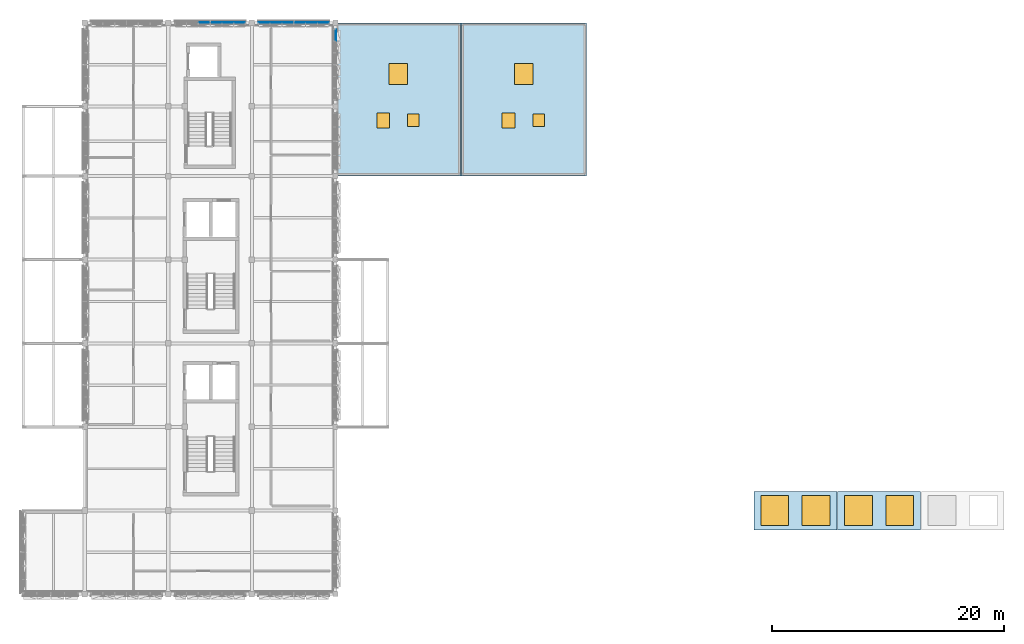
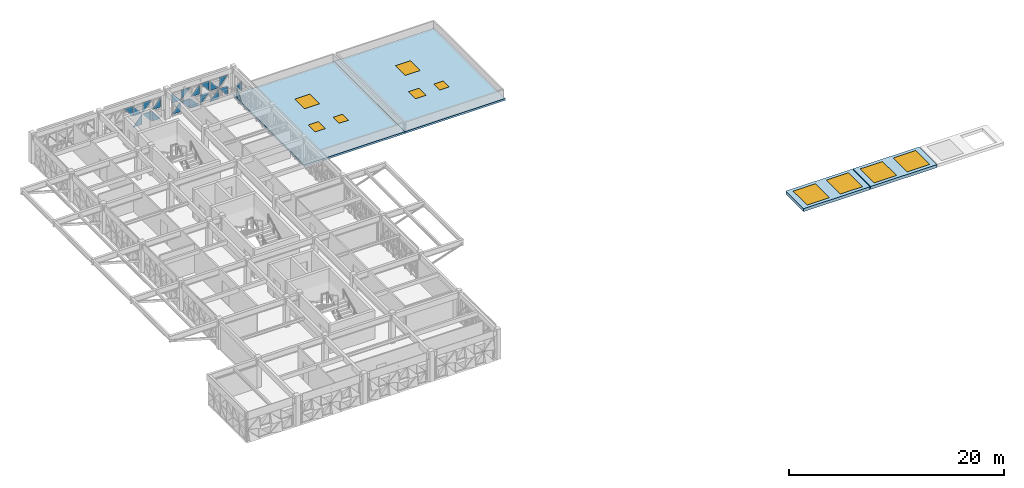
# One storey, part 15 of 30: 21 plates, 6 windows, 4 doors, 4 slabs, 10 openings, 3 elements without a shape of their own.
"""IFC4 building model written with IfcOpenShell, lengths in metres."""

from ifc_helpers import new_model, si_unit, direction, frame, origin, origin_2d, place, context, subcontext, project, spatial, polyline, rectangle, outline, extrude, material, layer, layer_set, type_object, element, fill, aggregate, save


model = new_model("IFC4")

# Units and contexts
model_context = context("Model", 3, precision=1e-05, world=origin(), true_north=direction((0.0, 1.0)))
body_context = subcontext(model_context, "Body", "Model", "MODEL_VIEW")
ifc_project = project(units=[si_unit("LENGTHUNIT", "METRE"), si_unit("AREAUNIT", "SQUARE_METRE"), si_unit("VOLUMEUNIT", "CUBIC_METRE"), si_unit("PLANEANGLEUNIT", "RADIAN"), si_unit("MASSUNIT", "GRAM", prefix="KILO")], contexts=[model_context])

# Site, building, storey
site_placement = place(None, origin())
site = spatial("IfcSite", under=ifc_project, at=site_placement, CompositionType="ELEMENT")
building_placement = place(site_placement, origin())
building = spatial("IfcBuilding", under=site, at=building_placement, Name="Alvorim Cloister Faculty of Sciences", CompositionType="ELEMENT")
storey_placement = place(building_placement, frame((0.0, 0.0, 26.25)))
storey = spatial("IfcBuildingStorey", under=building, at=storey_placement, Name="L07", CompositionType="ELEMENT", Elevation=26.25)

# Curtain wall, plates
ifc_material_1 = material(Name="Aluminium and Low-E Glass Curtain Wall", Category="aluminium")
curtain_wall_type = type_object("IfcCurtainWallType", Name="CW-TRI-6120x2700", PredefinedType="USERDEFINED", material=ifc_material_1)
curtain_wall_1_placement = place(storey_placement, origin())
curtain_wall_1 = element("IfcCurtainWall", 1, at=curtain_wall_1_placement, inside=storey, type_object=curtain_wall_type, Name="L07 Diagonal Cassette Curtain Wall CW-0273", ObjectType="UNITISED CURTAIN WALL", PredefinedType="USERDEFINED")
ifc_material_2 = material(Name="Double Low-E Laminated Glass", Category="glass")
ifc_layer_1 = layer(ifc_material_2, 0.0400390625)
ifc_layer_set_1 = layer_set([ifc_layer_1], Name="Double Low-E Laminated Glass")
plate_type = type_object("IfcPlateType", Name="PN-GLZ-40", PredefinedType="CURTAIN_PANEL", material=ifc_layer_set_1)
plate_1_placement = place(storey_placement, frame((17.012451171875, 56.425048828125, 1.419921875), z_axis=(0.0, 0.0, 1.0), x_axis=(1.0, 0.0, 0.0)))
plate_1 = element("IfcPlate", 2, at=plate_1_placement, type_object=plate_type, Name="Diagonal Glazed Triangle TRI-TR", PredefinedType="CURTAIN_PANEL", context=body_context, shape_type="SweptSolid", body=[
    extrude(outline(polyline([(0.955078125, 0.001953125), (0.955078125, 1.14013671875), (0.001953125, 1.14013671875), (0.955078125, 0.001953125)])), frame((0.0, 0.02490234375, 0.0), z_axis=(0.0, -1.0, 0.0), x_axis=(1.0, 0.0, 0.0)), (0.0, 0.0, 1.0), 0.050048828125),
])
plate_2_placement = place(storey_placement, frame((18.032470703125, 56.425048828125, 0.139892578125), z_axis=(0.0, 0.0, 1.0), x_axis=(1.0, 0.0, 0.0)))
plate_2 = element("IfcPlate", 3, at=plate_2_placement, type_object=plate_type, Name="Diagonal Glazed Triangle TRI-BR", PredefinedType="CURTAIN_PANEL", context=body_context, shape_type="SweptSolid", body=[
    extrude(outline(polyline([(0.001953125, 0.0), (0.955078125, 0.0), (0.955078125, 1.13818359375), (0.001953125, 0.0)])), frame((0.0, 0.02490234375, 0.0), z_axis=(0.0, -1.0, 0.0), x_axis=(1.0, 0.0, 0.0)), (0.0, 0.0, 1.0), 0.050048828125),
])
plate_3_placement = place(storey_placement, frame((18.032470703125, 56.425048828125, 1.419921875), z_axis=(0.0, 0.0, 1.0), x_axis=(1.0, 0.0, 0.0)))
plate_3 = element("IfcPlate", 4, at=plate_3_placement, type_object=plate_type, Name="Diagonal Glazed Triangle TRI-BL", PredefinedType="CURTAIN_PANEL", context=body_context, shape_type="SweptSolid", body=[
    extrude(outline(polyline([(0.0, 0.0), (0.953125, 0.0), (0.0, 1.13818359375), (0.0, 0.0)])), frame((0.0, 0.02490234375, 0.0), z_axis=(0.0, -1.0, 0.0), x_axis=(1.0, 0.0, 0.0)), (0.0, 0.0, 1.0), 0.050048828125),
])
plate_4_placement = place(storey_placement, frame((19.052490234375, 56.425048828125, 0.139892578125), z_axis=(0.0, 0.0, 1.0), x_axis=(1.0, 0.0, 0.0)))
plate_4 = element("IfcPlate", 5, at=plate_4_placement, type_object=plate_type, Name="Diagonal Glazed Triangle TRI-TR", PredefinedType="CURTAIN_PANEL", context=body_context, shape_type="SweptSolid", body=[
    extrude(outline(polyline([(0.955078125, 0.001953125), (0.955078125, 1.14013671875), (0.001953125, 1.14013671875), (0.955078125, 0.001953125)])), frame((0.0, 0.02490234375, 0.0), z_axis=(0.0, -1.0, 0.0), x_axis=(1.0, 0.0, 0.0)), (0.0, 0.0, 1.0), 0.050048828125),
])
plate_5_placement = place(storey_placement, frame((19.052490234375, 56.425048828125, 1.419921875), z_axis=(0.0, 0.0, 1.0), x_axis=(1.0, 0.0, 0.0)))
plate_5 = element("IfcPlate", 6, at=plate_5_placement, type_object=plate_type, Name="Diagonal Glazed Triangle TRI-TL", PredefinedType="CURTAIN_PANEL", context=body_context, shape_type="SweptSolid", body=[
    extrude(outline(polyline([(0.953125, 1.14013671875), (0.0, 1.14013671875), (0.0, 0.001953125), (0.953125, 1.14013671875)])), frame((0.0, 0.02490234375, 0.0), z_axis=(0.0, -1.0, 0.0), x_axis=(1.0, 0.0, 0.0)), (0.0, 0.0, 1.0), 0.050048828125),
])
plate_6_placement = place(storey_placement, frame((20.072509765625, 56.425048828125, 0.139892578125), z_axis=(0.0, 0.0, 1.0), x_axis=(1.0, 0.0, 0.0)))
plate_6 = element("IfcPlate", 7, at=plate_6_placement, type_object=plate_type, Name="Diagonal Glazed Triangle TRI-BL", PredefinedType="CURTAIN_PANEL", context=body_context, shape_type="SweptSolid", body=[
    extrude(outline(polyline([(0.0, 0.0), (0.920654296875, 0.0), (0.0, 1.13818359375), (0.0, 0.0)])), frame((0.0, 0.02490234375, 0.0), z_axis=(0.0, -1.0, 0.0), x_axis=(1.0, 0.0, 0.0)), (0.0, 0.0, 1.0), 0.050048828125),
])
plate_7_placement = place(storey_placement, frame((20.072509765625, 56.425048828125, 1.419921875), z_axis=(0.0, 0.0, 1.0), x_axis=(1.0, 0.0, 0.0)))
plate_7 = element("IfcPlate", 8, at=plate_7_placement, type_object=plate_type, Name="Diagonal Glazed Triangle TRI-BR", PredefinedType="CURTAIN_PANEL", context=body_context, shape_type="SweptSolid", body=[
    extrude(outline(polyline([(0.001953125, 0.0), (0.922607421875, 0.0), (0.922607421875, 1.13818359375), (0.001953125, 0.0)])), frame((0.0, 0.02490234375, 0.0), z_axis=(0.0, -1.0, 0.0), x_axis=(1.0, 0.0, 0.0)), (0.0, 0.0, 1.0), 0.050048828125),
])
aggregate(curtain_wall_1, [plate_1, plate_2, plate_3, plate_4, plate_5, plate_6, plate_7])

curtain_wall_2_placement = place(storey_placement, origin())
curtain_wall_2 = element("IfcCurtainWall", 9, at=curtain_wall_2_placement, inside=storey, type_object=curtain_wall_type, Name="L07 Diagonal Cassette Curtain Wall CW-0274", ObjectType="UNITISED CURTAIN WALL", PredefinedType="USERDEFINED")
plate_8_placement = place(storey_placement, frame((22.205078125, 56.425048828125, 0.139892578125), z_axis=(0.0, 0.0, 1.0), x_axis=(1.0, 0.0, 0.0)))
plate_8 = element("IfcPlate", 10, at=plate_8_placement, type_object=plate_type, Name="Diagonal Glazed Triangle TRI-BR", PredefinedType="CURTAIN_PANEL", context=body_context, shape_type="SweptSolid", body=[
    extrude(outline(polyline([(0.001953125, 0.0), (0.922607421875, 0.0), (0.922607421875, 1.13818359375), (0.001953125, 0.0)])), frame((0.0, 0.02490234375, 0.0), z_axis=(0.0, -1.0, 0.0), x_axis=(1.0, 0.0, 0.0)), (0.0, 0.0, 1.0), 0.050048828125),
])
plate_9_placement = place(storey_placement, frame((22.205078125, 56.425048828125, 1.419921875), z_axis=(0.0, 0.0, 1.0), x_axis=(1.0, 0.0, 0.0)))
plate_9 = element("IfcPlate", 11, at=plate_9_placement, type_object=plate_type, Name="Diagonal Glazed Triangle TRI-BL", PredefinedType="CURTAIN_PANEL", context=body_context, shape_type="SweptSolid", body=[
    extrude(outline(polyline([(0.0, 0.0), (0.920654296875, 0.0), (0.0, 1.13818359375), (0.0, 0.0)])), frame((0.0, 0.02490234375, 0.0), z_axis=(0.0, -1.0, 0.0), x_axis=(1.0, 0.0, 0.0)), (0.0, 0.0, 1.0), 0.050048828125),
])
plate_10_placement = place(storey_placement, frame((23.1923828125, 56.425048828125, 0.139892578125), z_axis=(0.0, 0.0, 1.0), x_axis=(1.0, 0.0, 0.0)))
plate_10 = element("IfcPlate", 12, at=plate_10_placement, type_object=plate_type, Name="Diagonal Glazed Triangle TRI-TR", PredefinedType="CURTAIN_PANEL", context=body_context, shape_type="SweptSolid", body=[
    extrude(outline(polyline([(0.955078125, 0.001953125), (0.955078125, 1.14013671875), (0.001953125, 1.14013671875), (0.955078125, 0.001953125)])), frame((0.0, 0.02490234375, 0.0), z_axis=(0.0, -1.0, 0.0), x_axis=(1.0, 0.0, 0.0)), (0.0, 0.0, 1.0), 0.050048828125),
])
plate_11_placement = place(storey_placement, frame((23.1923828125, 56.425048828125, 1.419921875), z_axis=(0.0, 0.0, 1.0), x_axis=(1.0, 0.0, 0.0)))
plate_11 = element("IfcPlate", 13, at=plate_11_placement, type_object=plate_type, Name="Diagonal Glazed Triangle TRI-TL", PredefinedType="CURTAIN_PANEL", context=body_context, shape_type="SweptSolid", body=[
    extrude(outline(polyline([(0.953125, 1.14013671875), (0.0, 1.14013671875), (0.0, 0.001953125), (0.953125, 1.14013671875)])), frame((0.0, 0.02490234375, 0.0), z_axis=(0.0, -1.0, 0.0), x_axis=(1.0, 0.0, 0.0)), (0.0, 0.0, 1.0), 0.050048828125),
])
plate_12_placement = place(storey_placement, frame((24.21240234375, 56.425048828125, 0.139892578125), z_axis=(0.0, 0.0, 1.0), x_axis=(1.0, 0.0, 0.0)))
plate_12 = element("IfcPlate", 14, at=plate_12_placement, type_object=plate_type, Name="Diagonal Glazed Triangle TRI-BL", PredefinedType="CURTAIN_PANEL", context=body_context, shape_type="SweptSolid", body=[
    extrude(outline(polyline([(0.0, 0.0), (0.953125, 0.0), (0.0, 1.13818359375), (0.0, 0.0)])), frame((0.0, 0.02490234375, 0.0), z_axis=(0.0, -1.0, 0.0), x_axis=(1.0, 0.0, 0.0)), (0.0, 0.0, 1.0), 0.050048828125),
])
plate_13_placement = place(storey_placement, frame((24.21240234375, 56.425048828125, 1.419921875), z_axis=(0.0, 0.0, 1.0), x_axis=(1.0, 0.0, 0.0)))
plate_13 = element("IfcPlate", 15, at=plate_13_placement, type_object=plate_type, Name="Diagonal Glazed Triangle TRI-BR", PredefinedType="CURTAIN_PANEL", context=body_context, shape_type="SweptSolid", body=[
    extrude(outline(polyline([(0.001953125, 0.0), (0.955078125, 0.0), (0.955078125, 1.13818359375), (0.001953125, 0.0)])), frame((0.0, 0.02490234375, 0.0), z_axis=(0.0, -1.0, 0.0), x_axis=(1.0, 0.0, 0.0)), (0.0, 0.0, 1.0), 0.050048828125),
])
plate_14_placement = place(storey_placement, frame((25.232421875, 56.425048828125, 0.139892578125), z_axis=(0.0, 0.0, 1.0), x_axis=(1.0, 0.0, 0.0)))
plate_14 = element("IfcPlate", 16, at=plate_14_placement, type_object=plate_type, Name="Diagonal Glazed Triangle TRI-TL", PredefinedType="CURTAIN_PANEL", context=body_context, shape_type="SweptSolid", body=[
    extrude(outline(polyline([(0.953125, 1.14013671875), (0.0, 1.14013671875), (0.0, 0.001953125), (0.953125, 1.14013671875)])), frame((0.0, 0.02490234375, 0.0), z_axis=(0.0, -1.0, 0.0), x_axis=(1.0, 0.0, 0.0)), (0.0, 0.0, 1.0), 0.050048828125),
])
plate_15_placement = place(storey_placement, frame((25.232421875, 56.425048828125, 1.419921875), z_axis=(0.0, 0.0, 1.0), x_axis=(1.0, 0.0, 0.0)))
plate_15 = element("IfcPlate", 17, at=plate_15_placement, type_object=plate_type, Name="Diagonal Glazed Triangle TRI-TR", PredefinedType="CURTAIN_PANEL", context=body_context, shape_type="SweptSolid", body=[
    extrude(outline(polyline([(0.955078125, 0.001953125), (0.955078125, 1.14013671875), (0.001953125, 1.14013671875), (0.955078125, 0.001953125)])), frame((0.0, 0.02490234375, 0.0), z_axis=(0.0, -1.0, 0.0), x_axis=(1.0, 0.0, 0.0)), (0.0, 0.0, 1.0), 0.050048828125),
])
plate_16_placement = place(storey_placement, frame((26.25244140625, 56.425048828125, 0.139892578125), z_axis=(0.0, 0.0, 1.0), x_axis=(1.0, 0.0, 0.0)))
plate_16 = element("IfcPlate", 18, at=plate_16_placement, type_object=plate_type, Name="Diagonal Glazed Triangle TRI-BR", PredefinedType="CURTAIN_PANEL", context=body_context, shape_type="SweptSolid", body=[
    extrude(outline(polyline([(0.001953125, 0.0), (0.955078125, 0.0), (0.955078125, 1.13818359375), (0.001953125, 0.0)])), frame((0.0, 0.02490234375, 0.0), z_axis=(0.0, -1.0, 0.0), x_axis=(1.0, 0.0, 0.0)), (0.0, 0.0, 1.0), 0.050048828125),
])
plate_17_placement = place(storey_placement, frame((26.25244140625, 56.425048828125, 1.419921875), z_axis=(0.0, 0.0, 1.0), x_axis=(1.0, 0.0, 0.0)))
plate_17 = element("IfcPlate", 19, at=plate_17_placement, type_object=plate_type, Name="Diagonal Glazed Triangle TRI-BL", PredefinedType="CURTAIN_PANEL", context=body_context, shape_type="SweptSolid", body=[
    extrude(outline(polyline([(0.0, 0.0), (0.953125, 0.0), (0.0, 1.13818359375), (0.0, 0.0)])), frame((0.0, 0.02490234375, 0.0), z_axis=(0.0, -1.0, 0.0), x_axis=(1.0, 0.0, 0.0)), (0.0, 0.0, 1.0), 0.050048828125),
])
plate_18_placement = place(storey_placement, frame((27.2724609375, 56.425048828125, 0.139892578125), z_axis=(0.0, 0.0, 1.0), x_axis=(1.0, 0.0, 0.0)))
plate_18 = element("IfcPlate", 20, at=plate_18_placement, type_object=plate_type, Name="Diagonal Glazed Triangle TRI-TR", PredefinedType="CURTAIN_PANEL", context=body_context, shape_type="SweptSolid", body=[
    extrude(outline(polyline([(0.922607421875, 0.001953125), (0.922607421875, 1.14013671875), (0.001953125, 1.14013671875), (0.922607421875, 0.001953125)])), frame((0.0, 0.02490234375, 0.0), z_axis=(0.0, -1.0, 0.0), x_axis=(1.0, 0.0, 0.0)), (0.0, 0.0, 1.0), 0.050048828125),
])
plate_19_placement = place(storey_placement, frame((27.2724609375, 56.425048828125, 1.419921875), z_axis=(0.0, 0.0, 1.0), x_axis=(1.0, 0.0, 0.0)))
plate_19 = element("IfcPlate", 21, at=plate_19_placement, type_object=plate_type, Name="Diagonal Glazed Triangle TRI-TL", PredefinedType="CURTAIN_PANEL", context=body_context, shape_type="SweptSolid", body=[
    extrude(outline(polyline([(0.920654296875, 1.14013671875), (0.0, 1.14013671875), (0.0, 0.001953125), (0.920654296875, 1.14013671875)])), frame((0.0, 0.02490234375, 0.0), z_axis=(0.0, -1.0, 0.0), x_axis=(1.0, 0.0, 0.0)), (0.0, 0.0, 1.0), 0.050048828125),
])
aggregate(curtain_wall_2, [plate_8, plate_9, plate_10, plate_11, plate_12, plate_13, plate_14, plate_15, plate_16, plate_17, plate_18, plate_19])

curtain_wall_3_placement = place(storey_placement, origin())
curtain_wall_3 = element("IfcCurtainWall", 22, at=curtain_wall_3_placement, inside=storey, type_object=curtain_wall_type, Name="L07 Diagonal Cassette Curtain Wall CW-0275", ObjectType="UNITISED CURTAIN WALL", PredefinedType="USERDEFINED")
plate_20_placement = place(storey_placement, frame((28.824951171875, 54.87255859375, 0.139892578125), z_axis=(0.0, 0.0, 1.0), x_axis=(0.0, 1.0, 0.0)))
plate_20 = element("IfcPlate", 23, at=plate_20_placement, type_object=plate_type, Name="Diagonal Glazed Triangle TRI-BR", PredefinedType="CURTAIN_PANEL", context=body_context, shape_type="SweptSolid", body=[
    extrude(outline(polyline([(0.001953125, 0.0), (0.922607421875, 0.0), (0.922607421875, 1.13818359375), (0.001953125, 0.0)])), frame((0.0, 0.02490234375, 0.0), z_axis=(0.0, -1.0, 0.0), x_axis=(1.0, 0.0, 0.0)), (0.0, 0.0, 1.0), 0.050048828125),
])
plate_21_placement = place(storey_placement, frame((28.824951171875, 54.87255859375, 1.419921875), z_axis=(0.0, 0.0, 1.0), x_axis=(0.0, 1.0, 0.0)))
plate_21 = element("IfcPlate", 24, at=plate_21_placement, type_object=plate_type, Name="Diagonal Glazed Triangle TRI-BL", PredefinedType="CURTAIN_PANEL", context=body_context, shape_type="SweptSolid", body=[
    extrude(outline(polyline([(0.0, 0.0), (0.920654296875, 0.0), (0.0, 1.13818359375), (0.0, 0.0)])), frame((0.0, 0.02490234375, 0.0), z_axis=(0.0, -1.0, 0.0), x_axis=(1.0, 0.0, 0.0)), (0.0, 0.0, 1.0), 0.050048828125),
])
aggregate(curtain_wall_3, [plate_20, plate_21])

# Slab, openings, doors, window
ifc_material_3 = material(Name="Cross-Laminated Timber CLT C24", Category="wood")
ifc_layer_2 = layer(ifc_material_3, 0.2099609375)
ifc_layer_set_2 = layer_set([ifc_layer_2], Name="Cross-Laminated Timber CLT C24")
slab_type_1 = type_object("IfcSlabType", Name="SL-ROOF-210", PredefinedType="ROOF", material=ifc_layer_set_2)
slab_1_placement = place(storey_placement, frame((0.0, 0.0, -0.110107421875)))
slab_1 = element("IfcSlab", 25, at=slab_1_placement, inside=storey, type_object=slab_type_1, Name="L07 Roof Deck RF-V4NW", PredefinedType="ROOF", context=body_context, shape_type="SweptSolid", body=[
    extrude(outline(polyline([(28.804931640625, 43.205078125), (39.594970703125, 43.205078125), (39.594970703125, 56.39501953125), (28.804931640625, 56.39501953125), (28.804931640625, 43.205078125)])), origin(), (0.0, 0.0, 1.0), 0.210205078125),
])
opening_1_placement = place(slab_1_placement, frame((32.89990234375, 48.0, -0.011962890625)))
opening_1 = element("IfcOpeningElement", 26, at=opening_1_placement, cuts=slab_1, Name="Opening RH-03", PredefinedType="OPENING", context=body_context, shape_type="SweptSolid", body=[
    extrude(rectangle(XDim=1.10009765625, YDim=1.300048828125, at=origin_2d()), origin(), (0.0, 0.0, 1.0), 0.234130859375),
])
opening_2_placement = place(slab_1_placement, frame((35.5, 48.0, -0.011962890625)))
opening_2 = element("IfcOpeningElement", 27, at=opening_2_placement, cuts=slab_1, Name="Opening RH-04", PredefinedType="OPENING", context=body_context, shape_type="SweptSolid", body=[
    extrude(rectangle(XDim=1.0, YDim=1.10009765625, at=origin_2d()), origin(), (0.0, 0.0, 1.0), 0.234130859375),
])
opening_3_placement = place(slab_1_placement, frame((34.199951171875, 52.0, -0.011962890625)))
opening_3 = element("IfcOpeningElement", 28, at=opening_3_placement, cuts=slab_1, Name="Opening SK-35", PredefinedType="OPENING", context=body_context, shape_type="SweptSolid", body=[
    extrude(rectangle(XDim=1.60009765625, YDim=1.800048828125, at=origin_2d()), origin(), (0.0, 0.0, 1.0), 0.234130859375),
])
ifc_material_4 = material(Name="Galvanised Steel Sheet", Category="steel")
door_type_1 = type_object("IfcDoorType", Name="DR-HATCH-1000x1100", OperationType="NOTDEFINED", PredefinedType="TRAPDOOR", material=ifc_material_4)
door_1_placement = place(slab_1_placement, frame((35.5, 48.0, 0.16015625)))
door_1 = element("IfcDoor", 29, at=door_1_placement, inside=storey, type_object=door_type_1, Name="Roof Maintenance Access Hatch RH-04", OperationType="SINGLE_SWING_LEFT", OverallHeight=1.10009765625, OverallWidth=1.0, PredefinedType="TRAPDOOR", context=body_context, shape_type="SweptSolid", body=[
    extrude(rectangle(XDim=1.0, YDim=1.10009765625, at=origin_2d()), origin(), (0.0, 0.0, 1.0), 0.050048828125),
])
fill(opening_2, door_1)
door_type_2 = type_object("IfcDoorType", Name="DR-HATCH-1100x1300", OperationType="NOTDEFINED", PredefinedType="TRAPDOOR", material=ifc_material_4)
door_2_placement = place(slab_1_placement, frame((32.89990234375, 48.0, 0.16015625)))
door_2 = element("IfcDoor", 30, at=door_2_placement, inside=storey, type_object=door_type_2, Name="Roof Maintenance Access Hatch RH-03", OperationType="SINGLE_SWING_LEFT", OverallHeight=1.300048828125, OverallWidth=1.10009765625, PredefinedType="TRAPDOOR", context=body_context, shape_type="SweptSolid", body=[
    extrude(rectangle(XDim=1.10009765625, YDim=1.300048828125, at=origin_2d()), origin(), (0.0, 0.0, 1.0), 0.050048828125),
])
fill(opening_1, door_2)
window_type_1 = type_object("IfcWindowType", Name="WN-SKY-1600x1800", PartitioningType="SINGLE_PANEL", PredefinedType="SKYLIGHT", material=ifc_material_2)
window_1_placement = place(slab_1_placement, frame((34.199951171875, 52.0, 0.16015625)))
window_1 = element("IfcWindow", 31, at=window_1_placement, inside=storey, type_object=window_type_1, Name="Roof Daylighting Skylight SK-35", OverallHeight=1.800048828125, OverallWidth=1.60009765625, PartitioningType="SINGLE_PANEL", PredefinedType="SKYLIGHT", context=body_context, shape_type="SweptSolid", body=[
    extrude(rectangle(XDim=1.60009765625, YDim=1.800048828125, at=origin_2d()), origin(), (0.0, 0.0, 1.0), 0.050048828125),
])
fill(opening_3, window_1)

slab_2_placement = place(storey_placement, frame((0.0, 0.0, -0.110107421875)))
slab_2 = element("IfcSlab", 32, at=slab_2_placement, inside=storey, type_object=slab_type_1, Name="L07 Roof Deck RF-V4NE", PredefinedType="ROOF", context=body_context, shape_type="SweptSolid", body=[
    extrude(outline(polyline([(39.60498046875, 43.205078125), (50.39501953125, 43.205078125), (50.39501953125, 56.39501953125), (39.60498046875, 56.39501953125), (39.60498046875, 43.205078125)])), origin(), (0.0, 0.0, 1.0), 0.210205078125),
])
opening_4_placement = place(slab_2_placement, frame((43.699951171875, 48.0, -0.011962890625)))
opening_4 = element("IfcOpeningElement", 33, at=opening_4_placement, cuts=slab_2, Name="Opening RH-05", PredefinedType="OPENING", context=body_context, shape_type="SweptSolid", body=[
    extrude(rectangle(XDim=1.10009765625, YDim=1.300048828125, at=origin_2d()), origin(), (0.0, 0.0, 1.0), 0.234130859375),
])
opening_5_placement = place(slab_2_placement, frame((46.300048828125, 48.0, -0.011962890625)))
opening_5 = element("IfcOpeningElement", 34, at=opening_5_placement, cuts=slab_2, Name="Opening RH-06", PredefinedType="OPENING", context=body_context, shape_type="SweptSolid", body=[
    extrude(rectangle(XDim=1.0, YDim=1.10009765625, at=origin_2d()), origin(), (0.0, 0.0, 1.0), 0.234130859375),
])
opening_6_placement = place(slab_2_placement, frame((45.0, 52.0, -0.011962890625)))
opening_6 = element("IfcOpeningElement", 35, at=opening_6_placement, cuts=slab_2, Name="Opening SK-36", PredefinedType="OPENING", context=body_context, shape_type="SweptSolid", body=[
    extrude(rectangle(XDim=1.60009765625, YDim=1.800048828125, at=origin_2d()), origin(), (0.0, 0.0, 1.0), 0.234130859375),
])
door_3_placement = place(slab_2_placement, frame((46.300048828125, 48.0, 0.16015625)))
door_3 = element("IfcDoor", 36, at=door_3_placement, inside=storey, type_object=door_type_1, Name="Roof Maintenance Access Hatch RH-06", OperationType="SINGLE_SWING_LEFT", OverallHeight=1.10009765625, OverallWidth=1.0, PredefinedType="TRAPDOOR", context=body_context, shape_type="SweptSolid", body=[
    extrude(rectangle(XDim=1.0, YDim=1.10009765625, at=origin_2d()), origin(), (0.0, 0.0, 1.0), 0.050048828125),
])
fill(opening_5, door_3)
door_4_placement = place(slab_2_placement, frame((43.699951171875, 48.0, 0.16015625)))
door_4 = element("IfcDoor", 37, at=door_4_placement, inside=storey, type_object=door_type_2, Name="Roof Maintenance Access Hatch RH-05", OperationType="SINGLE_SWING_LEFT", OverallHeight=1.300048828125, OverallWidth=1.10009765625, PredefinedType="TRAPDOOR", context=body_context, shape_type="SweptSolid", body=[
    extrude(rectangle(XDim=1.10009765625, YDim=1.300048828125, at=origin_2d()), origin(), (0.0, 0.0, 1.0), 0.050048828125),
])
fill(opening_4, door_4)
window_2_placement = place(slab_2_placement, frame((45.0, 52.0, 0.16015625)))
window_2 = element("IfcWindow", 38, at=window_2_placement, inside=storey, type_object=window_type_1, Name="Roof Daylighting Skylight SK-36", OverallHeight=1.800048828125, OverallWidth=1.60009765625, PartitioningType="SINGLE_PANEL", PredefinedType="SKYLIGHT", context=body_context, shape_type="SweptSolid", body=[
    extrude(rectangle(XDim=1.60009765625, YDim=1.800048828125, at=origin_2d()), origin(), (0.0, 0.0, 1.0), 0.050048828125),
])
fill(opening_6, window_2)

# Slab, openings, windows
ifc_material_5 = material(Name="Concrete C40", Category="concrete")
ifc_layer_3 = layer(ifc_material_5, 0.340087890625)
ifc_layer_set_3 = layer_set([ifc_layer_3], Name="Concrete C40")
slab_type_2 = type_object("IfcSlabType", Name="SL-ROOF-340", PredefinedType="ROOF", material=ifc_layer_set_3)
slab_3_placement = place(storey_placement, frame((0.0, 0.0, 0.654296875)))
slab_3 = element("IfcSlab", 39, at=slab_3_placement, inside=storey, type_object=slab_type_2, Name="SH-V3 Skylight Lantern Crest Deck 1", PredefinedType="ROOF", context=body_context, shape_type="SweptSolid", body=[
    extrude(outline(polyline([(64.840087890625, 12.739990234375), (71.9599609375, 12.739990234375), (71.9599609375, 16.06005859375), (64.840087890625, 16.06005859375), (64.840087890625, 12.739990234375)])), origin(), (0.0, 0.0, 1.0), 0.33984375),
])
opening_7_placement = place(slab_3_placement, frame((66.6201171875, 14.39990234375, -0.011962890625)))
opening_7 = element("IfcOpeningElement", 40, at=opening_7_placement, cuts=slab_3, Name="Opening SK-20", PredefinedType="OPENING", context=body_context, shape_type="SweptSolid", body=[
    extrude(rectangle(XDim=2.39990234375, YDim=2.60009765625, at=origin_2d()), origin(), (0.0, 0.0, 1.0), 0.36376953125),
])
opening_8_placement = place(slab_3_placement, frame((70.179931640625, 14.39990234375, -0.011962890625)))
opening_8 = element("IfcOpeningElement", 41, at=opening_8_placement, cuts=slab_3, Name="Opening SK-21", PredefinedType="OPENING", context=body_context, shape_type="SweptSolid", body=[
    extrude(rectangle(XDim=2.39990234375, YDim=2.60009765625, at=origin_2d()), origin(), (0.0, 0.0, 1.0), 0.36376953125),
])
window_type_2 = type_object("IfcWindowType", Name="WN-SKY-2400x2600", PartitioningType="SINGLE_PANEL", PredefinedType="SKYLIGHT", material=ifc_material_2)
window_3_placement = place(slab_3_placement, frame((66.6201171875, 14.39990234375, 0.289794921875)))
window_3 = element("IfcWindow", 42, at=window_3_placement, inside=storey, type_object=window_type_2, Name="Lantern Crest Skylight SK-20", OverallHeight=2.60009765625, OverallWidth=2.39990234375, PartitioningType="SINGLE_PANEL", PredefinedType="SKYLIGHT", context=body_context, shape_type="SweptSolid", body=[
    extrude(rectangle(XDim=2.39990234375, YDim=2.60009765625, at=origin_2d()), origin(), (0.0, 0.0, 1.0), 0.050048828125),
])
fill(opening_7, window_3)
window_4_placement = place(slab_3_placement, frame((70.179931640625, 14.39990234375, 0.289794921875)))
window_4 = element("IfcWindow", 43, at=window_4_placement, inside=storey, type_object=window_type_2, Name="Lantern Crest Skylight SK-21", OverallHeight=2.60009765625, OverallWidth=2.39990234375, PartitioningType="SINGLE_PANEL", PredefinedType="SKYLIGHT", context=body_context, shape_type="SweptSolid", body=[
    extrude(rectangle(XDim=2.39990234375, YDim=2.60009765625, at=origin_2d()), origin(), (0.0, 0.0, 1.0), 0.050048828125),
])
fill(opening_8, window_4)

slab_4_placement = place(storey_placement, frame((0.0, 0.0, 0.654296875)))
slab_4 = element("IfcSlab", 44, at=slab_4_placement, inside=storey, type_object=slab_type_2, Name="SH-V3 Skylight Lantern Crest Deck 2", PredefinedType="ROOF", context=body_context, shape_type="SweptSolid", body=[
    extrude(outline(polyline([(72.0400390625, 12.739990234375), (79.159912109375, 12.739990234375), (79.159912109375, 16.06005859375), (72.0400390625, 16.06005859375), (72.0400390625, 12.739990234375)])), origin(), (0.0, 0.0, 1.0), 0.33984375),
])
opening_9_placement = place(slab_4_placement, frame((73.820068359375, 14.39990234375, -0.011962890625)))
opening_9 = element("IfcOpeningElement", 45, at=opening_9_placement, cuts=slab_4, Name="Opening SK-22", PredefinedType="OPENING", context=body_context, shape_type="SweptSolid", body=[
    extrude(rectangle(XDim=2.39990234375, YDim=2.60009765625, at=origin_2d()), origin(), (0.0, 0.0, 1.0), 0.36376953125),
])
opening_10_placement = place(slab_4_placement, frame((77.3798828125, 14.39990234375, -0.011962890625)))
opening_10 = element("IfcOpeningElement", 46, at=opening_10_placement, cuts=slab_4, Name="Opening SK-23", PredefinedType="OPENING", context=body_context, shape_type="SweptSolid", body=[
    extrude(rectangle(XDim=2.39990234375, YDim=2.60009765625, at=origin_2d()), origin(), (0.0, 0.0, 1.0), 0.36376953125),
])
window_5_placement = place(slab_4_placement, frame((73.820068359375, 14.39990234375, 0.289794921875)))
window_5 = element("IfcWindow", 47, at=window_5_placement, inside=storey, type_object=window_type_2, Name="Lantern Crest Skylight SK-22", OverallHeight=2.60009765625, OverallWidth=2.39990234375, PartitioningType="SINGLE_PANEL", PredefinedType="SKYLIGHT", context=body_context, shape_type="SweptSolid", body=[
    extrude(rectangle(XDim=2.39990234375, YDim=2.60009765625, at=origin_2d()), origin(), (0.0, 0.0, 1.0), 0.050048828125),
])
fill(opening_9, window_5)
window_6_placement = place(slab_4_placement, frame((77.3798828125, 14.39990234375, 0.289794921875)))
window_6 = element("IfcWindow", 48, at=window_6_placement, inside=storey, type_object=window_type_2, Name="Lantern Crest Skylight SK-23", OverallHeight=2.60009765625, OverallWidth=2.39990234375, PartitioningType="SINGLE_PANEL", PredefinedType="SKYLIGHT", context=body_context, shape_type="SweptSolid", body=[
    extrude(rectangle(XDim=2.39990234375, YDim=2.60009765625, at=origin_2d()), origin(), (0.0, 0.0, 1.0), 0.050048828125),
])
fill(opening_10, window_6)

save(model, "model.ifc")
